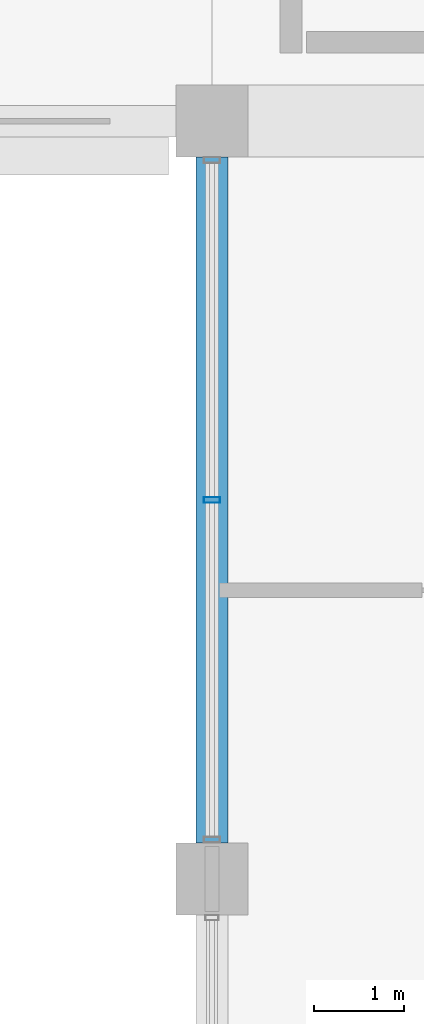
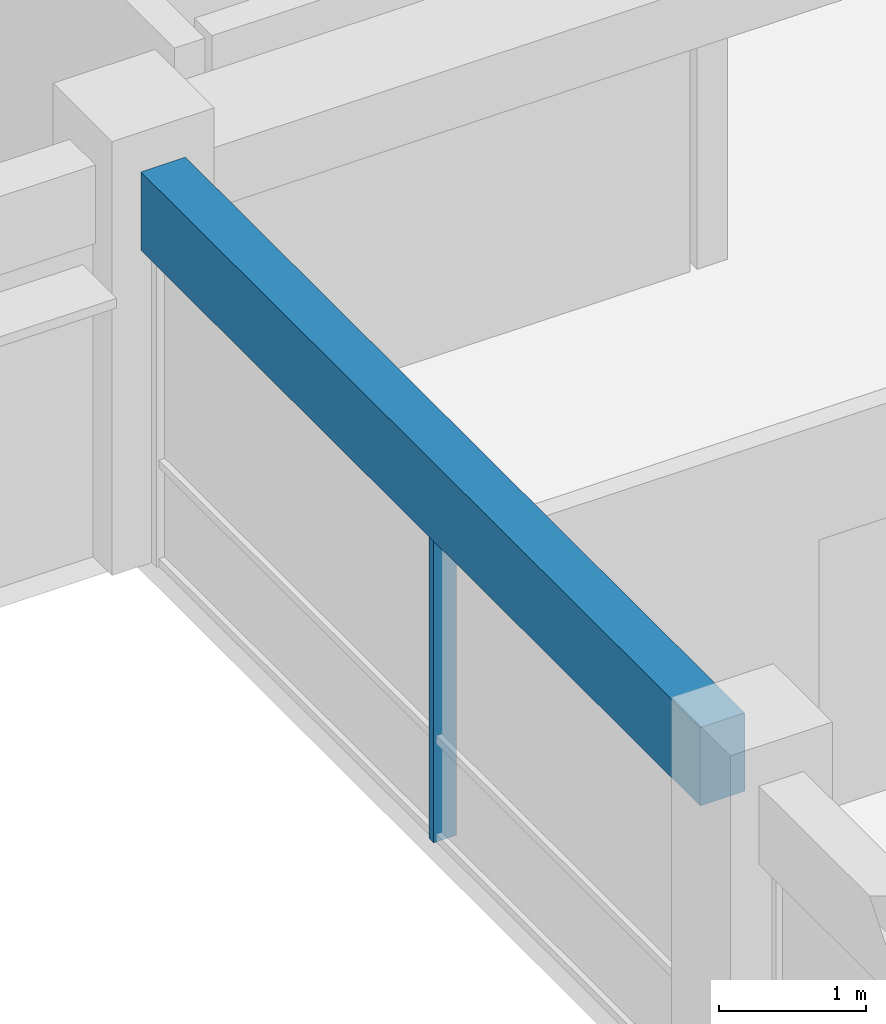
# One storey, part 21 of 50: 1 beam, 1 member, 1 element without a shape of its own.
"""IFC4 building model written with IfcOpenShell, lengths in metres."""

import ifcopenshell
import ifcopenshell.guid

model = None  # the IFC model being written
_history = None  # IfcOwnerHistory: only IFC2X3 demands one
_inside = {}  # id of a spatial element -> (the spatial element, [elements in it])
_under = {}  # id of a project, library or spatial element -> (it, [spatial elements below it])
_declared = {}  # id of a project -> (the project, [libraries it declares])
_typed = {}  # id of a type object -> (the type object, [elements of that type])
_made_of = {}  # id of a material, layer set ... -> (it, [elements and type objects made of it])


def new_model(schema):
    """Start an empty IFC model of exactly this schema.

    Asked for "IFC4X3", IfcOpenShell would pick the latest addendum, in which some entities
    have other attributes; the version numbers below select the first issue.
    IFC2X3 requires an IfcOwnerHistory on every rooted entity: one is made here for all.
    """
    global model, _history
    if schema == "IFC4X3":
        model = ifcopenshell.file(schema_version=(4, 3, 0, 0))
    else:
        model = ifcopenshell.file(schema=schema)
    _inside.clear()
    _under.clear()
    _declared.clear()
    _typed.clear()
    _made_of.clear()
    _history = None
    if model.schema == "IFC2X3":
        org = make("IfcOrganization", Name="unknown")
        user = make(
            "IfcPersonAndOrganization",
            ThePerson=make("IfcPerson", FamilyName="unknown"),
            TheOrganization=org,
        )
        app = make(
            "IfcApplication",
            ApplicationDeveloper=org,
            Version="unknown",
            ApplicationFullName="unknown",
            ApplicationIdentifier="unknown",
        )
        _history = make(
            "IfcOwnerHistory",
            OwningUser=user,
            OwningApplication=app,
            ChangeAction="ADDED",
            CreationDate=0,
        )
    return model


def make(cls, **values):
    """One entity of the class cls with the attributes given. An attribute that is None is left unset."""
    return model.create_entity(
        cls, **{name: value for name, value in values.items() if value is not None}
    )


def rooted(cls, **values):
    """An entity with a GlobalId (a new one), such as an element, a storey or a relation."""
    return make(cls, GlobalId=ifcopenshell.guid.new(), OwnerHistory=_history, **values)


def si_unit(unit_type, name, prefix=None):
    """IfcSIUnit, for example si_unit("LENGTHUNIT", "METRE", prefix="MILLI")."""
    return make("IfcSIUnit", UnitType=unit_type, Prefix=prefix, Name=name)


def assignment(units):
    """IfcUnitAssignment: the units of a project."""
    return None if units is None else make("IfcUnitAssignment", Units=units)


def point(xyz):
    """IfcCartesianPoint."""
    return None if xyz is None else make("IfcCartesianPoint", Coordinates=xyz)


def direction(xyz):
    """IfcDirection."""
    return None if xyz is None else make("IfcDirection", DirectionRatios=xyz)


def frame(location, z_axis=None, x_axis=None):
    """IfcAxis2Placement3D, a coordinate frame: its origin and axes. An axis left out is left unset."""
    return make(
        "IfcAxis2Placement3D",
        Location=point(location),
        Axis=direction(z_axis),
        RefDirection=direction(x_axis),
    )


def frame_2d(location, x_axis=None):
    """IfcAxis2Placement2D, a coordinate frame in the plane: its origin and x axis."""
    return make(
        "IfcAxis2Placement2D", Location=point(location), RefDirection=direction(x_axis)
    )


def origin():
    """The frame at (0, 0, 0) with its axes left unset."""
    return frame((0.0, 0.0, 0.0))


def origin_2d():
    """The frame at (0, 0) in the plane with its x axis left unset."""
    return frame_2d((0.0, 0.0))


def place(relative_to, where):
    """IfcLocalPlacement: puts the frame where relative to a parent placement (None: the world)."""
    return make(
        "IfcLocalPlacement", PlacementRelTo=relative_to, RelativePlacement=where
    )


def context(
    kind, dimensions, precision=None, world=None, true_north=None, identifier=None
):
    """IfcGeometricRepresentationContext, for example the 3D "Model" context."""
    return make(
        "IfcGeometricRepresentationContext",
        ContextIdentifier=identifier,
        ContextType=kind,
        CoordinateSpaceDimension=dimensions,
        Precision=precision,
        WorldCoordinateSystem=world,
        TrueNorth=true_north,
    )


def subcontext(parent, identifier, kind, view, scale=None):
    """IfcGeometricRepresentationSubContext, for example "Body" below "Model"."""
    return make(
        "IfcGeometricRepresentationSubContext",
        ContextIdentifier=identifier,
        ContextType=kind,
        ParentContext=parent,
        TargetScale=scale,
        TargetView=view,
    )


def project(units=None, contexts=None):
    """IfcProject with its units and contexts."""
    return rooted(
        "IfcProject",
        Name="project",
        RepresentationContexts=contexts,
        UnitsInContext=assignment(units),
    )


def spatial(cls, under=None, at=None, **own):
    """A site, building, storey or space (cls), placed at a placement, below another one or the project."""
    s = rooted(cls, ObjectPlacement=at, **own)
    if under is not None:
        _under.setdefault(under.id(), (under, []))[1].append(s)
    return s


def profile(cls, at=None, kind="AREA", **sizes):
    """A parametric profile (cls). Its sizes go by their IFC names, for example OverallWidth=200.0."""
    return make(cls, ProfileType=kind, Position=at, **sizes)


def rectangle(**sizes):
    """IfcRectangleProfileDef."""
    return profile("IfcRectangleProfileDef", **sizes)


def hollow_rectangle(**sizes):
    """IfcRectangleHollowProfileDef."""
    return profile("IfcRectangleHollowProfileDef", **sizes)


def extrude(swept, where, along, depth):
    """IfcExtrudedAreaSolid: the profile swept, set in the frame where, extruded along a direction by depth."""
    return make(
        "IfcExtrudedAreaSolid",
        SweptArea=swept,
        Position=where,
        ExtrudedDirection=direction(along),
        Depth=depth,
    )


def shape(context_of_items, identifier, shape_type, items):
    """IfcShapeRepresentation: the items that make up one representation, for example the "Body"."""
    return make(
        "IfcShapeRepresentation",
        ContextOfItems=context_of_items,
        RepresentationIdentifier=identifier,
        RepresentationType=shape_type,
        Items=items,
    )


def material(Name=None, Category=None):
    """IfcMaterial."""
    return make("IfcMaterial", Name=Name, Category=Category)


def material_profile(
    of_material, cross_section, Name=None, Category=None, Priority=None
):
    """IfcMaterialProfile: a cross section and its material."""
    return make(
        "IfcMaterialProfile",
        Name=Name,
        Material=of_material,
        Profile=cross_section,
        Priority=Priority,
        Category=Category,
    )


def profile_set(profiles, Name=None, composite=None):
    """IfcMaterialProfileSet."""
    return make(
        "IfcMaterialProfileSet",
        Name=Name,
        MaterialProfiles=profiles,
        CompositeProfile=composite,
    )


def made_of(thing, what):
    """Note that an element or type object is made of a material, layer set ...; save() writes the relation."""
    if what is not None:
        _made_of.setdefault(what.id(), (what, []))[1].append(thing)
    return thing


def type_object(cls, material=None, **own):
    """A type object (cls), such as IfcWallType, which elements share."""
    return made_of(rooted(cls, **own), material)


def element(
    cls,
    number,
    at=None,
    inside=None,
    cuts=None,
    type_object=None,
    material=None,
    context=None,
    identifier="Body",
    shape_type=None,
    held_by="IfcProductDefinitionShape",
    body=None,
    shapes=None,
    **own,
):
    """One element of the class cls, such as IfcWall. Its Tag is "e" and its number.

    at: its placement. inside: the storey or other place that contains it. cuts: it is an
    opening in that element (IfcRelVoidsElement). A single representation is given by context,
    identifier, shape_type and body (its items); several are given by shapes. held_by: the class
    of the entity that holds the representations. save() writes the other relations.
    """
    e = rooted(cls, Tag="e%d" % number, ObjectPlacement=at, **own)
    if body is not None:
        shapes = [shape(context, identifier, shape_type, body)]
    if shapes is not None:
        e.Representation = make(held_by, Representations=shapes)
    if inside is not None:
        _inside.setdefault(inside.id(), (inside, []))[1].append(e)
    if cuts is not None:
        rooted(
            "IfcRelVoidsElement", RelatingBuildingElement=cuts, RelatedOpeningElement=e
        )
    if type_object is not None:
        _typed.setdefault(type_object.id(), (type_object, []))[1].append(e)
    return made_of(e, material)


def aggregate(whole, parts):
    """IfcRelAggregates: a whole, such as a stair, and the parts it consists of."""
    return rooted("IfcRelAggregates", RelatingObject=whole, RelatedObjects=parts)


def save(model, path):
    """Write the relations noted so far, then the file.

    IfcRelAggregates (storeys below a building ...), IfcRelContainedInSpatialStructure (elements
    in a storey), IfcRelDefinesByType, IfcRelAssociatesMaterial and IfcRelDeclares: one each for
    every whole, place, type object, material and project.
    """
    for whole, parts in _under.values():
        aggregate(whole, parts)
    for where, things in _inside.values():
        rooted(
            "IfcRelContainedInSpatialStructure",
            RelatedElements=things,
            RelatingStructure=where,
        )
    for kind, things in _typed.values():
        rooted("IfcRelDefinesByType", RelatedObjects=things, RelatingType=kind)
    for what, things in _made_of.values():
        rooted("IfcRelAssociatesMaterial", RelatedObjects=things, RelatingMaterial=what)
    for by, libraries in _declared.values():
        rooted("IfcRelDeclares", RelatingContext=by, RelatedDefinitions=libraries)
    model.write(path)


model = new_model("IFC4")

# Units and contexts
model_context = context("Model", 3, precision=1e-05, world=origin(), true_north=direction((0.0, 1.0)))
body_context = subcontext(model_context, "Body", "Model", "MODEL_VIEW")
ifc_project = project(units=[si_unit("LENGTHUNIT", "METRE"), si_unit("AREAUNIT", "SQUARE_METRE"), si_unit("VOLUMEUNIT", "CUBIC_METRE"), si_unit("PLANEANGLEUNIT", "RADIAN"), si_unit("MASSUNIT", "GRAM", prefix="KILO"), si_unit("THERMODYNAMICTEMPERATUREUNIT", "KELVIN"), si_unit("POWERUNIT", "WATT")], contexts=[model_context])

# Site, building, storey
site_placement = place(None, origin())
site = spatial("IfcSite", under=ifc_project, at=site_placement, CompositionType="ELEMENT")
building_placement = place(site_placement, origin())
building = spatial("IfcBuilding", under=site, at=building_placement, Name="Srebrne Nadtorze General Hospital", CompositionType="ELEMENT")
storey_placement = place(building_placement, frame((0.0, 0.0, 14.39990234375)))
storey = spatial("IfcBuildingStorey", under=building, at=storey_placement, Name="L03", CompositionType="ELEMENT", Elevation=14.39990234375)

# Curtain wall, member
ifc_material_1 = material(Name="Anodised Aluminium", Category="aluminium")
curtain_wall_type = type_object("IfcCurtainWallType", Name="Unitised curtain wall 7600x2620", PredefinedType="NOTDEFINED", material=ifc_material_1)
curtain_wall_placement = place(storey_placement, origin())
curtain_wall = element("IfcCurtainWall", 1, at=curtain_wall_placement, inside=storey, type_object=curtain_wall_type, Name="Curtain wall CW-097", PredefinedType="NOTDEFINED")
ifc_material_2 = material(Name="Anodised Aluminium", Category="aluminium")
ifc_material_profile_1 = material_profile(ifc_material_2, hollow_rectangle(XDim=0.06494140625, YDim=0.179931640625, WallThickness=0.00390625, at=origin_2d()), Name="AL-MUL-65x180")
ifc_profile_set_1 = profile_set([ifc_material_profile_1], Name="Anodised Aluminium")
member_type = type_object("IfcMemberType", Name="Curtain mullion 65x180", PredefinedType="MULLION", material=ifc_profile_set_1)
member_placement = place(storey_placement, frame((101.39990234375, 46.199951171875, 0.0), z_axis=(0.0, 0.0, 1.0), x_axis=(0.0, 1.0, 0.0)))
member = element("IfcMember", 2, at=member_placement, type_object=member_type, Name="CW-097 mullion 2", PredefinedType="MULLION", context=body_context, shape_type="SweptSolid", body=[
    extrude(hollow_rectangle(XDim=0.06494140625, YDim=0.179931640625, WallThickness=0.00390625, at=origin_2d()), origin(), (0.0, 0.0, 1.0), 2.6201171875),
])
aggregate(curtain_wall, [member])

# Beam
ifc_material_3 = material(Name="Concrete C35/45", Category="concrete")
ifc_material_profile_2 = material_profile(ifc_material_3, rectangle(XDim=0.35009765625, YDim=0.64990234375, at=origin_2d()), Name="RC-BM-350x650")
ifc_profile_set_2 = profile_set([ifc_material_profile_2], Name="Concrete C35/45")
beam_type = type_object("IfcBeamType", Name="Edge beam RC 350x650", PredefinedType="BEAM", material=ifc_profile_set_2)
beam_placement = place(storey_placement, frame((101.39990234375, 42.39990234375, 2.945068359375), z_axis=(0.0, 1.0, 0.0), x_axis=(-1.0, 0.0, 0.0)))
element("IfcBeam", 3, at=beam_placement, inside=storey, type_object=beam_type, Name="Beam BM-L03-Y-0825", PredefinedType="BEAM", context=body_context, shape_type="SweptSolid", body=[
    extrude(rectangle(XDim=0.35009765625, YDim=0.64990234375, at=origin_2d()), origin(), (0.0, 0.0, 1.0), 7.60009765625),
])

save(model, "model.ifc")
